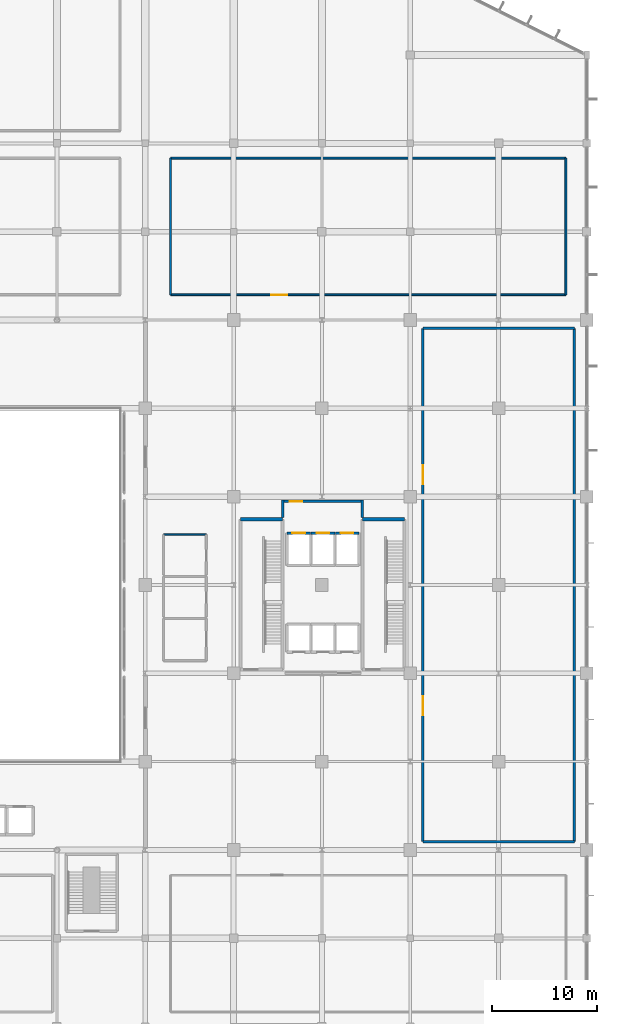
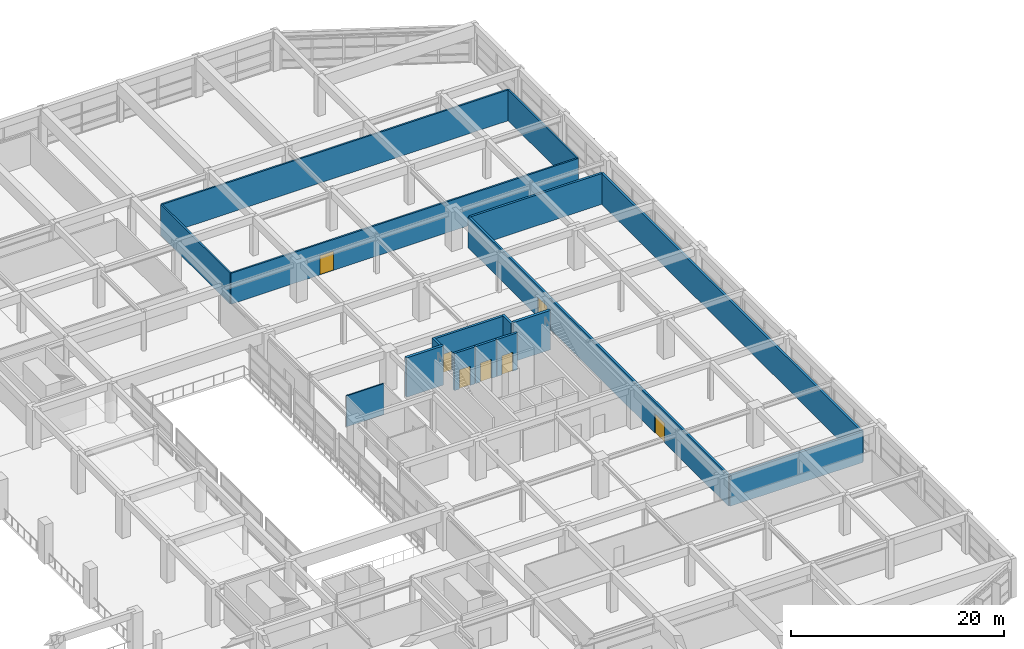
# One storey, part 56 of 65: 17 walls, 7 doors, 7 openings.
"""IFC4 building model written with IfcOpenShell, lengths in metres."""

from ifc_helpers import new_model, si_unit, direction, frame, frame_2d, origin, place, context, subcontext, project, spatial, rectangle, extrude, material, layer, layer_set, type_object, element, fill, save


model = new_model("IFC4")

# Units and contexts
model_context = context("Model", 3, precision=1e-05, world=origin(), true_north=direction((0.0, 1.0)))
body_context = subcontext(model_context, "Body", "Model", "MODEL_VIEW")
ifc_project = project(units=[si_unit("LENGTHUNIT", "METRE"), si_unit("AREAUNIT", "SQUARE_METRE"), si_unit("VOLUMEUNIT", "CUBIC_METRE"), si_unit("PLANEANGLEUNIT", "RADIAN"), si_unit("MASSUNIT", "GRAM", prefix="KILO")], contexts=[model_context])

# Site, building, storey
site_placement = place(None, origin())
site = spatial("IfcSite", under=ifc_project, at=site_placement, CompositionType="ELEMENT")
building_placement = place(site_placement, origin())
building = spatial("IfcBuilding", under=site, at=building_placement, Name="Xuanlan Plaza Opera House", CompositionType="ELEMENT")
storey_placement = place(building_placement, frame((0.0, 0.0, 5.39990234375)))
storey = spatial("IfcBuildingStorey", under=building, at=storey_placement, Name="L01", CompositionType="ELEMENT", Elevation=5.39990234375)

# Walls
ifc_material_1 = material(Name="Gypsum Board and Galvanised Steel Studs", Category="gypsum")
ifc_layer_1 = layer(ifc_material_1, 0.239990234375)
ifc_layer_set_1 = layer_set([ifc_layer_1], Name="Gypsum Board and Galvanised Steel Studs")
wall_type_1 = type_object("IfcWallType", Name="INT-WL-PW-01", PredefinedType="PARTITIONING", material=ifc_layer_set_1)
for number, where, z_axis, x_axis, name in (
    (1, (152.39990234375, 34.39990234375, 0.0), (0.0, 0.0, 1.0), (1.0, 0.0, 0.0), "Cultural Conference Hall Wall South"),
    (2, (152.39990234375, 83.199951171875, 0.0), (0.0, 0.0, 1.0), (1.0, 0.0, 0.0), "Cultural Conference Hall Wall North"),
):
    element("IfcWall", number, at=place(storey_placement, frame(where, z_axis=z_axis, x_axis=x_axis)), inside=storey, type_object=wall_type_1, Name=name, PredefinedType="PARTITIONING", context=body_context, shape_type="SweptSolid", body=[
        extrude(rectangle(XDim=14.400146484375, YDim=0.239990234375, at=frame_2d((7.2001953125, 0.0))), origin(), (0.0, 0.0, 1.0), 3.5400390625),
    ])

# Wall, openings, doors
wall_1_placement = place(storey_placement, frame((152.39990234375, 34.39990234375, 0.0), z_axis=(0.0, 0.0, 1.0), x_axis=(0.0, 1.0, 0.0)))
wall_1 = element("IfcWall", 3, at=wall_1_placement, inside=storey, type_object=wall_type_1, Name="Cultural Conference Hall Wall West", PredefinedType="PARTITIONING", context=body_context, shape_type="SweptSolid", body=[
    extrude(rectangle(XDim=48.800048828125, YDim=0.239990234375, at=frame_2d((24.39990234375, 0.0))), origin(), (0.0, 0.0, 1.0), 3.5400390625),
])
opening_1_placement = place(wall_1_placement, frame((12.0, 0.0, 0.0)))
opening_1 = element("IfcOpeningElement", 4, at=opening_1_placement, cuts=wall_1, Name="Opening D-04", PredefinedType="OPENING", context=body_context, shape_type="SweptSolid", body=[
    extrude(rectangle(XDim=1.800048828125, YDim=2.25, at=frame_2d((0.89990234375, 1.125))), frame((0.0, 0.1298828125, 0.0), z_axis=(0.0, -1.0, 0.0), x_axis=(1.0, 0.0, 0.0)), (0.0, 0.0, 1.0), 0.260009765625),
])
opening_2_placement = place(wall_1_placement, frame((34.0, 0.0, 0.0)))
opening_2 = element("IfcOpeningElement", 5, at=opening_2_placement, cuts=wall_1, Name="Opening D-04", PredefinedType="OPENING", context=body_context, shape_type="SweptSolid", body=[
    extrude(rectangle(XDim=1.800048828125, YDim=2.25, at=frame_2d((0.89990234375, 1.125))), frame((0.0, 0.1298828125, 0.0), z_axis=(0.0, -1.0, 0.0), x_axis=(1.0, 0.0, 0.0)), (0.0, 0.0, 1.0), 0.260009765625),
])
ifc_material_2 = material(Name="Anodised Aluminium 6063-T6 and Laminated Safety Glass", Category="aluminium")
door_type_1 = type_object("IfcDoorType", Name="INT-DR-D-04", OperationType="DOUBLE_DOOR_SINGLE_SWING", PredefinedType="DOOR", material=ifc_material_2)
door_1_placement = place(opening_1_placement, origin())
door_1 = element("IfcDoor", 6, at=door_1_placement, inside=storey, type_object=door_type_1, Name="Cultural Conference Hall Door 1", OperationType="DOUBLE_DOOR_SINGLE_SWING", OverallHeight=2.25, OverallWidth=1.800048828125, PredefinedType="DOOR", context=body_context, shape_type="SweptSolid", body=[
    extrude(rectangle(XDim=1.800048828125, YDim=2.25, at=frame_2d((0.89990234375, 1.125))), frame((0.0, 0.02490234375, 0.0), z_axis=(0.0, -1.0, 0.0), x_axis=(1.0, 0.0, 0.0)), (0.0, 0.0, 1.0), 0.050048828125),
])
fill(opening_1, door_1)
door_2_placement = place(opening_2_placement, origin())
door_2 = element("IfcDoor", 7, at=door_2_placement, inside=storey, type_object=door_type_1, Name="Cultural Conference Hall Door 2", OperationType="DOUBLE_DOOR_SINGLE_SWING", OverallHeight=2.25, OverallWidth=1.800048828125, PredefinedType="DOOR", context=body_context, shape_type="SweptSolid", body=[
    extrude(rectangle(XDim=1.800048828125, YDim=2.25, at=frame_2d((0.89990234375, 1.125))), frame((0.0, 0.02490234375, 0.0), z_axis=(0.0, -1.0, 0.0), x_axis=(1.0, 0.0, 0.0)), (0.0, 0.0, 1.0), 0.050048828125),
])
fill(opening_2, door_2)

# Wall
wall_2_placement = place(storey_placement, frame((166.800048828125, 34.39990234375, 0.0), z_axis=(0.0, 0.0, 1.0), x_axis=(0.0, 1.0, 0.0)))
element("IfcWall", 8, at=wall_2_placement, inside=storey, type_object=wall_type_1, Name="Cultural Conference Hall Wall East", PredefinedType="PARTITIONING", context=body_context, shape_type="SweptSolid", body=[
    extrude(rectangle(XDim=48.800048828125, YDim=0.239990234375, at=frame_2d((24.39990234375, 0.0))), origin(), (0.0, 0.0, 1.0), 3.5400390625),
])

# Wall, opening, door
ifc_layer_2 = layer(ifc_material_1, 0.179931640625)
ifc_layer_set_2 = layer_set([ifc_layer_2], Name="Gypsum Board and Galvanised Steel Studs")
wall_type_2 = type_object("IfcWallType", Name="INT-WL-PW-02", PredefinedType="PARTITIONING", material=ifc_layer_set_2)
wall_3_placement = place(storey_placement, frame((128.39990234375, 86.39990234375, 0.0), z_axis=(0.0, 0.0, 1.0), x_axis=(1.0, 0.0, 0.0)))
wall_3 = element("IfcWall", 9, at=wall_3_placement, inside=storey, type_object=wall_type_2, Name="Opera Digital Media Archive Wall South", PredefinedType="PARTITIONING", context=body_context, shape_type="SweptSolid", body=[
    extrude(rectangle(XDim=37.60009765625, YDim=0.179931640625, at=frame_2d((18.800048828125, 0.0))), origin(), (0.0, 0.0, 1.0), 3.5400390625),
])
opening_3_placement = place(wall_3_placement, frame((9.60009765625, 0.0, 0.0)))
opening_3 = element("IfcOpeningElement", 10, at=opening_3_placement, cuts=wall_3, Name="Opening D-03", PredefinedType="OPENING", context=body_context, shape_type="SweptSolid", body=[
    extrude(rectangle(XDim=1.5, YDim=2.199951171875, at=frame_2d((0.75, 1.10009765625))), frame((0.0, 0.099853515625, 0.0), z_axis=(0.0, -1.0, 0.0), x_axis=(1.0, 0.0, 0.0)), (0.0, 0.0, 1.0), 0.199951171875),
])
ifc_material_3 = material(Name="Walnut Hardwood Timber", Category="wood")
door_type_2 = type_object("IfcDoorType", Name="INT-DR-D-03", OperationType="DOUBLE_DOOR_SINGLE_SWING", PredefinedType="DOOR", material=ifc_material_3)
door_3_placement = place(opening_3_placement, origin())
door_3 = element("IfcDoor", 11, at=door_3_placement, inside=storey, type_object=door_type_2, Name="Opera Digital Media Archive Door 1", OperationType="DOUBLE_DOOR_SINGLE_SWING", OverallHeight=2.199951171875, OverallWidth=1.5, PredefinedType="DOOR", context=body_context, shape_type="SweptSolid", body=[
    extrude(rectangle(XDim=1.5, YDim=2.199951171875, at=frame_2d((0.75, 1.10009765625))), frame((0.0, 0.02490234375, 0.0), z_axis=(0.0, -1.0, 0.0), x_axis=(1.0, 0.0, 0.0)), (0.0, 0.0, 1.0), 0.050048828125),
])
fill(opening_3, door_3)

# Walls
wall_4_placement = place(storey_placement, frame((128.39990234375, 99.39990234375, 0.0), z_axis=(0.0, 0.0, 1.0), x_axis=(1.0, 0.0, 0.0)))
element("IfcWall", 12, at=wall_4_placement, inside=storey, type_object=wall_type_2, Name="Opera Digital Media Archive Wall North", PredefinedType="PARTITIONING", context=body_context, shape_type="SweptSolid", body=[
    extrude(rectangle(XDim=37.60009765625, YDim=0.179931640625, at=frame_2d((18.800048828125, 0.0))), origin(), (0.0, 0.0, 1.0), 3.5400390625),
])
for number, where, z_axis, x_axis, name in (
    (13, (128.39990234375, 86.39990234375, 0.0), (0.0, 0.0, 1.0), (0.0, 1.0, 0.0), "Opera Digital Media Archive Wall West"),
    (14, (166.0, 86.39990234375, 0.0), (0.0, 0.0, 1.0), (0.0, 1.0, 0.0), "Opera Digital Media Archive Wall East"),
):
    element("IfcWall", number, at=place(storey_placement, frame(where, z_axis=z_axis, x_axis=x_axis)), inside=storey, type_object=wall_type_2, Name=name, PredefinedType="PARTITIONING", context=body_context, shape_type="SweptSolid", body=[
        extrude(rectangle(XDim=13.0, YDim=0.179931640625, at=frame_2d((6.5, 0.0))), origin(), (0.0, 0.0, 1.0), 3.5400390625),
    ])
ifc_material_4 = material(Name="Autoclaved Aerated Blockwork Masonry", Category="masonry")
ifc_layer_3 = layer(ifc_material_4, 0.14990234375)
ifc_layer_set_3 = layer_set([ifc_layer_3], Name="Autoclaved Aerated Blockwork Masonry")
wall_type_3 = type_object("IfcWallType", Name="INT-WL-PW-03", PredefinedType="PARTITIONING", material=ifc_layer_set_3)
wall_5_placement = place(storey_placement, frame((127.75, 63.60009765625, 0.0), z_axis=(0.0, 0.0, 1.0), x_axis=(1.0, 0.0, 0.0)))
element("IfcWall", 15, at=wall_5_placement, inside=storey, type_object=wall_type_3, Name="Accessible WC Wall North", PredefinedType="PARTITIONING", context=body_context, shape_type="SweptSolid", body=[
    extrude(rectangle(XDim=4.050048828125, YDim=0.14990234375, at=frame_2d((2.02490234375, 0.0))), origin(), (0.0, 0.0, 1.0), 3.5400390625),
])

# Wall, opening, door
ifc_material_5 = material(Name="Concrete C40", Category="concrete")
ifc_layer_4 = layer(ifc_material_5, 0.25)
ifc_layer_set_4 = layer_set([ifc_layer_4], Name="Concrete C40")
wall_type_4 = type_object("IfcWallType", Name="INT-WL-SW-LF1", PredefinedType="SHEAR", material=ifc_layer_set_4)
wall_6_placement = place(storey_placement, frame((139.47509765625, 63.72509765625, 0.0), z_axis=(0.0, 0.0, 1.0), x_axis=(1.0, 0.0, 0.0)))
wall_6 = element("IfcWall", 16, at=wall_6_placement, inside=storey, type_object=wall_type_4, Name="Lift Shaft Wall LF-FF1 L01 North", PredefinedType="SHEAR", context=body_context, shape_type="SweptSolid", body=[
    extrude(rectangle(XDim=2.25, YDim=0.25, at=frame_2d((1.125, 0.0))), origin(), (0.0, 0.0, 1.0), 4.239990234375),
])
opening_4_placement = place(wall_6_placement, frame((0.52490234375, 0.0, 0.0)))
opening_4 = element("IfcOpeningElement", 17, at=opening_4_placement, cuts=wall_6, Name="Opening LD-FF1-L01", PredefinedType="OPENING", context=body_context, shape_type="SweptSolid", body=[
    extrude(rectangle(XDim=1.199951171875, YDim=2.179931640625, at=frame_2d((0.60009765625, 1.08984375))), frame((0.0, 0.135009765625, 0.0), z_axis=(0.0, -1.0, 0.0), x_axis=(1.0, 0.0, 0.0)), (0.0, 0.0, 1.0), 0.27001953125),
])
ifc_material_6 = material(Name="Stainless Steel S30408", Category="steel")
door_type_3 = type_object("IfcDoorType", Name="INT-DR-LD-02", OperationType="DOUBLE_DOOR_SLIDING", PredefinedType="DOOR", material=ifc_material_6)
door_4_placement = place(opening_4_placement, origin())
door_4 = element("IfcDoor", 18, at=door_4_placement, inside=storey, type_object=door_type_3, Name="Lift Sliding Landing Door LF-FF1 L01", OperationType="DOUBLE_DOOR_SLIDING", OverallHeight=2.179931640625, OverallWidth=1.199951171875, PredefinedType="DOOR", context=body_context, shape_type="SweptSolid", body=[
    extrude(rectangle(XDim=1.199951171875, YDim=2.179931640625, at=frame_2d((0.60009765625, 1.08984375))), frame((0.0, 0.02490234375, 0.0), z_axis=(0.0, -1.0, 0.0), x_axis=(1.0, 0.0, 0.0)), (0.0, 0.0, 1.0), 0.050048828125),
])
fill(opening_4, door_4)

wall_7_placement = place(storey_placement, frame((141.77490234375, 63.72509765625, 0.0), z_axis=(0.0, 0.0, 1.0), x_axis=(1.0, 0.0, 0.0)))
wall_7 = element("IfcWall", 19, at=wall_7_placement, inside=storey, type_object=wall_type_4, Name="Lift Shaft Wall LF-FF2 L01 North", PredefinedType="SHEAR", context=body_context, shape_type="SweptSolid", body=[
    extrude(rectangle(XDim=2.25, YDim=0.25, at=frame_2d((1.125, 0.0))), origin(), (0.0, 0.0, 1.0), 4.239990234375),
])
opening_5_placement = place(wall_7_placement, frame((0.52490234375, 0.0, 0.0)))
opening_5 = element("IfcOpeningElement", 20, at=opening_5_placement, cuts=wall_7, Name="Opening LD-FF2-L01", PredefinedType="OPENING", context=body_context, shape_type="SweptSolid", body=[
    extrude(rectangle(XDim=1.199951171875, YDim=2.179931640625, at=frame_2d((0.60009765625, 1.08984375))), frame((0.0, 0.135009765625, 0.0), z_axis=(0.0, -1.0, 0.0), x_axis=(1.0, 0.0, 0.0)), (0.0, 0.0, 1.0), 0.27001953125),
])
door_5_placement = place(opening_5_placement, origin())
door_5 = element("IfcDoor", 21, at=door_5_placement, inside=storey, type_object=door_type_3, Name="Lift Sliding Landing Door LF-FF2 L01", OperationType="DOUBLE_DOOR_SLIDING", OverallHeight=2.179931640625, OverallWidth=1.199951171875, PredefinedType="DOOR", context=body_context, shape_type="SweptSolid", body=[
    extrude(rectangle(XDim=1.199951171875, YDim=2.179931640625, at=frame_2d((0.60009765625, 1.08984375))), frame((0.0, 0.02490234375, 0.0), z_axis=(0.0, -1.0, 0.0), x_axis=(1.0, 0.0, 0.0)), (0.0, 0.0, 1.0), 0.050048828125),
])
fill(opening_5, door_5)

wall_8_placement = place(storey_placement, frame((144.074951171875, 63.72509765625, 0.0), z_axis=(0.0, 0.0, 1.0), x_axis=(1.0, 0.0, 0.0)))
wall_8 = element("IfcWall", 22, at=wall_8_placement, inside=storey, type_object=wall_type_4, Name="Lift Shaft Wall LF-FF3 L01 North", PredefinedType="SHEAR", context=body_context, shape_type="SweptSolid", body=[
    extrude(rectangle(XDim=2.25, YDim=0.25, at=frame_2d((1.125, 0.0))), origin(), (0.0, 0.0, 1.0), 4.239990234375),
])
opening_6_placement = place(wall_8_placement, frame((0.52490234375, 0.0, 0.0)))
opening_6 = element("IfcOpeningElement", 23, at=opening_6_placement, cuts=wall_8, Name="Opening LD-FF3-L01", PredefinedType="OPENING", context=body_context, shape_type="SweptSolid", body=[
    extrude(rectangle(XDim=1.199951171875, YDim=2.179931640625, at=frame_2d((0.60009765625, 1.08984375))), frame((0.0, 0.135009765625, 0.0), z_axis=(0.0, -1.0, 0.0), x_axis=(1.0, 0.0, 0.0)), (0.0, 0.0, 1.0), 0.27001953125),
])
door_6_placement = place(opening_6_placement, origin())
door_6 = element("IfcDoor", 24, at=door_6_placement, inside=storey, type_object=door_type_3, Name="Lift Sliding Landing Door LF-FF3 L01", OperationType="DOUBLE_DOOR_SLIDING", OverallHeight=2.179931640625, OverallWidth=1.199951171875, PredefinedType="DOOR", context=body_context, shape_type="SweptSolid", body=[
    extrude(rectangle(XDim=1.199951171875, YDim=2.179931640625, at=frame_2d((0.60009765625, 1.08984375))), frame((0.0, 0.02490234375, 0.0), z_axis=(0.0, -1.0, 0.0), x_axis=(1.0, 0.0, 0.0)), (0.0, 0.0, 1.0), 0.050048828125),
])
fill(opening_6, door_6)

# Walls
for number, where, z_axis, x_axis, name in (
    (25, (139.074951171875, 65.199951171875, 0.0), (0.0, 0.0, 1.0), (0.0, 1.0, 0.0), "Firefighting Lift Lobby Enclosure Wall L01 W"),
    (26, (146.625, 65.199951171875, 0.0), (0.0, 0.0, 1.0), (0.0, 1.0, 0.0), "Firefighting Lift Lobby Enclosure Wall L01 E"),
):
    element("IfcWall", number, at=place(storey_placement, frame(where, z_axis=z_axis, x_axis=x_axis)), inside=storey, type_object=wall_type_4, Name=name, PredefinedType="SHEAR", context=body_context, shape_type="SweptSolid", body=[
        extrude(rectangle(XDim=1.675048828125, YDim=0.25, at=frame_2d((0.83740234375, 0.0))), origin(), (0.0, 0.0, 1.0), 4.239990234375),
    ])

# Wall, opening, door
wall_9_placement = place(storey_placement, frame((139.199951171875, 66.75, 0.0), z_axis=(0.0, 0.0, 1.0), x_axis=(1.0, 0.0, 0.0)))
wall_9 = element("IfcWall", 27, at=wall_9_placement, inside=storey, type_object=wall_type_4, Name="Firefighting Lift Lobby Wall North", PredefinedType="SHEAR", context=body_context, shape_type="SweptSolid", body=[
    extrude(rectangle(XDim=7.300048828125, YDim=0.25, at=frame_2d((3.64990234375, 0.0))), origin(), (0.0, 0.0, 1.0), 4.239990234375),
])
opening_7_placement = place(wall_9_placement, frame((0.550048828125, 0.0, 0.0)))
opening_7 = element("IfcOpeningElement", 28, at=opening_7_placement, cuts=wall_9, Name="Opening FD-02", PredefinedType="OPENING", context=body_context, shape_type="SweptSolid", body=[
    extrude(rectangle(XDim=1.199951171875, YDim=2.14990234375, at=frame_2d((0.60009765625, 1.074951171875))), frame((0.0, 0.135009765625, 0.0), z_axis=(0.0, -1.0, 0.0), x_axis=(1.0, 0.0, 0.0)), (0.0, 0.0, 1.0), 0.27001953125),
])
ifc_material_7 = material(Name="Galvanised Steel Q235B", Category="steel")
door_type_4 = type_object("IfcDoorType", Name="INT-DR-FD-02", OperationType="NOTDEFINED", PredefinedType="DOOR", material=ifc_material_7)
door_7_placement = place(opening_7_placement, origin())
door_7 = element("IfcDoor", 29, at=door_7_placement, inside=storey, type_object=door_type_4, Name="Firefighting Lift Lobby Door 1", OperationType="SINGLE_SWING_RIGHT", OverallHeight=2.14990234375, OverallWidth=1.199951171875, PredefinedType="DOOR", context=body_context, shape_type="SweptSolid", body=[
    extrude(rectangle(XDim=1.199951171875, YDim=2.14990234375, at=frame_2d((0.60009765625, 1.074951171875))), frame((0.0, 0.02490234375, 0.0), z_axis=(0.0, -1.0, 0.0), x_axis=(1.0, 0.0, 0.0)), (0.0, 0.0, 1.0), 0.050048828125),
])
fill(opening_7, door_7)

# Walls
ifc_layer_5 = layer(ifc_material_5, 0.300048828125)
ifc_layer_set_5 = layer_set([ifc_layer_5], Name="Concrete C40")
wall_type_5 = type_object("IfcWallType", Name="INT-WL-SW-ST1", PredefinedType="SHEAR", material=ifc_layer_set_5)
for number, where, z_axis, x_axis, name in (
    (30, (135.050048828125, 65.050048828125, 0.0), (0.0, 0.0, 1.0), (1.0, 0.0, 0.0), "Stair Core Wall ST-T1 L01 North"),
    (31, (146.64990234375, 65.050048828125, 0.0), (0.0, 0.0, 1.0), (1.0, 0.0, 0.0), "Stair Core Wall ST-T2 L01 North"),
):
    element("IfcWall", number, at=place(storey_placement, frame(where, z_axis=z_axis, x_axis=x_axis)), inside=storey, type_object=wall_type_5, Name=name, PredefinedType="SHEAR", context=body_context, shape_type="SweptSolid", body=[
        extrude(rectangle(XDim=4.0, YDim=0.300048828125, at=frame_2d((2.0, 0.0))), origin(), (0.0, 0.0, 1.0), 4.5),
    ])

save(model, "model.ifc")
